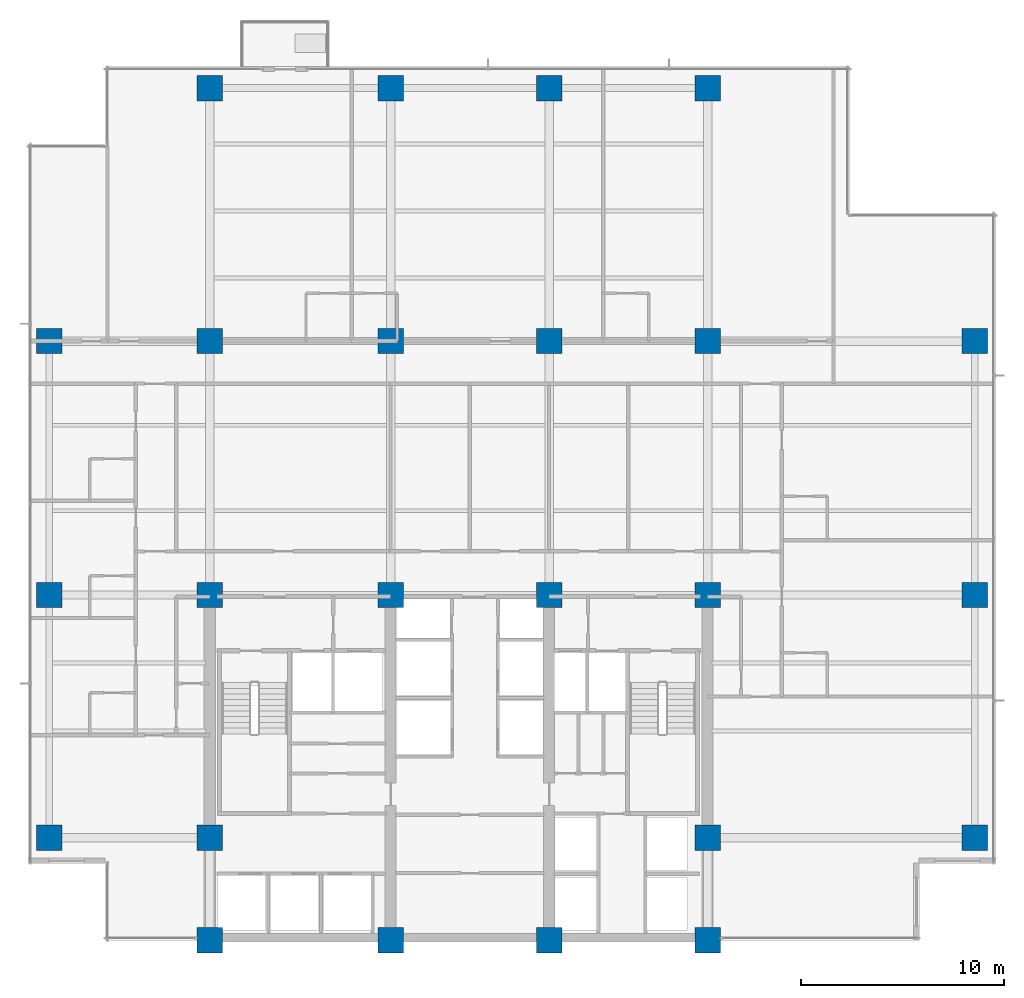
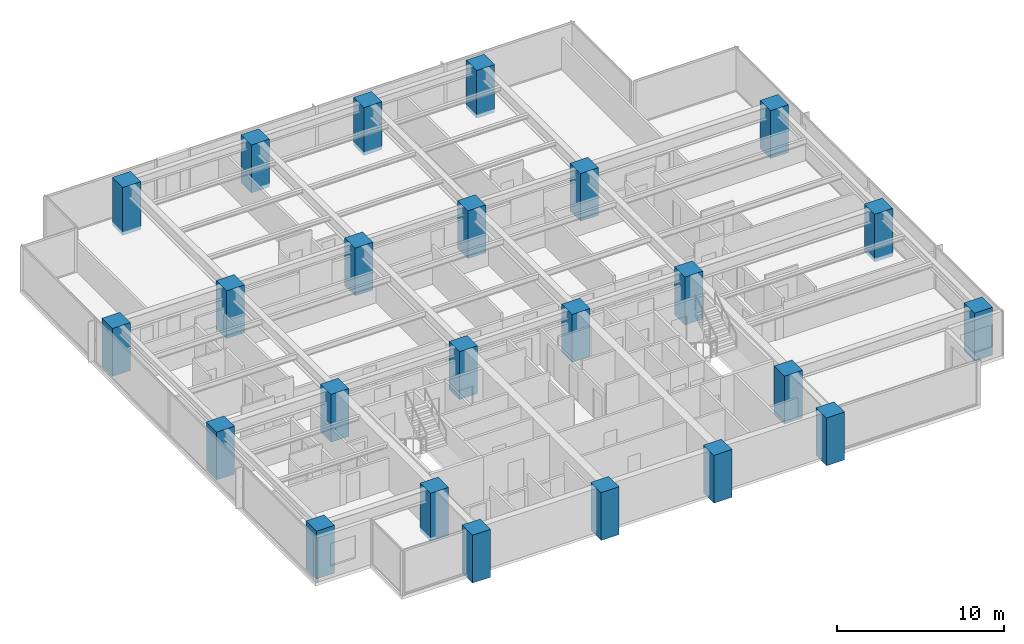
# One storey, part 1 of 17: 24 columns.
"""IFC4 building model written with IfcOpenShell, lengths in metres."""

import ifcopenshell
import ifcopenshell.guid

model = None  # the IFC model being written
_history = None  # IfcOwnerHistory: only IFC2X3 demands one
_inside = {}  # id of a spatial element -> (the spatial element, [elements in it])
_under = {}  # id of a project, library or spatial element -> (it, [spatial elements below it])
_declared = {}  # id of a project -> (the project, [libraries it declares])
_typed = {}  # id of a type object -> (the type object, [elements of that type])
_made_of = {}  # id of a material, layer set ... -> (it, [elements and type objects made of it])


def new_model(schema):
    """Start an empty IFC model of exactly this schema.

    Asked for "IFC4X3", IfcOpenShell would pick the latest addendum, in which some entities
    have other attributes; the version numbers below select the first issue.
    IFC2X3 requires an IfcOwnerHistory on every rooted entity: one is made here for all.
    """
    global model, _history
    if schema == "IFC4X3":
        model = ifcopenshell.file(schema_version=(4, 3, 0, 0))
    else:
        model = ifcopenshell.file(schema=schema)
    _inside.clear()
    _under.clear()
    _declared.clear()
    _typed.clear()
    _made_of.clear()
    _history = None
    if model.schema == "IFC2X3":
        org = make("IfcOrganization", Name="unknown")
        user = make(
            "IfcPersonAndOrganization",
            ThePerson=make("IfcPerson", FamilyName="unknown"),
            TheOrganization=org,
        )
        app = make(
            "IfcApplication",
            ApplicationDeveloper=org,
            Version="unknown",
            ApplicationFullName="unknown",
            ApplicationIdentifier="unknown",
        )
        _history = make(
            "IfcOwnerHistory",
            OwningUser=user,
            OwningApplication=app,
            ChangeAction="ADDED",
            CreationDate=0,
        )
    return model


def make(cls, **values):
    """One entity of the class cls with the attributes given. An attribute that is None is left unset."""
    return model.create_entity(
        cls, **{name: value for name, value in values.items() if value is not None}
    )


def rooted(cls, **values):
    """An entity with a GlobalId (a new one), such as an element, a storey or a relation."""
    return make(cls, GlobalId=ifcopenshell.guid.new(), OwnerHistory=_history, **values)


def si_unit(unit_type, name, prefix=None):
    """IfcSIUnit, for example si_unit("LENGTHUNIT", "METRE", prefix="MILLI")."""
    return make("IfcSIUnit", UnitType=unit_type, Prefix=prefix, Name=name)


def assignment(units):
    """IfcUnitAssignment: the units of a project."""
    return None if units is None else make("IfcUnitAssignment", Units=units)


def point(xyz):
    """IfcCartesianPoint."""
    return None if xyz is None else make("IfcCartesianPoint", Coordinates=xyz)


def direction(xyz):
    """IfcDirection."""
    return None if xyz is None else make("IfcDirection", DirectionRatios=xyz)


def frame(location, z_axis=None, x_axis=None):
    """IfcAxis2Placement3D, a coordinate frame: its origin and axes. An axis left out is left unset."""
    return make(
        "IfcAxis2Placement3D",
        Location=point(location),
        Axis=direction(z_axis),
        RefDirection=direction(x_axis),
    )


def frame_2d(location, x_axis=None):
    """IfcAxis2Placement2D, a coordinate frame in the plane: its origin and x axis."""
    return make(
        "IfcAxis2Placement2D", Location=point(location), RefDirection=direction(x_axis)
    )


def origin():
    """The frame at (0, 0, 0) with its axes left unset."""
    return frame((0.0, 0.0, 0.0))


def origin_2d():
    """The frame at (0, 0) in the plane with its x axis left unset."""
    return frame_2d((0.0, 0.0))


def place(relative_to, where):
    """IfcLocalPlacement: puts the frame where relative to a parent placement (None: the world)."""
    return make(
        "IfcLocalPlacement", PlacementRelTo=relative_to, RelativePlacement=where
    )


def context(
    kind, dimensions, precision=None, world=None, true_north=None, identifier=None
):
    """IfcGeometricRepresentationContext, for example the 3D "Model" context."""
    return make(
        "IfcGeometricRepresentationContext",
        ContextIdentifier=identifier,
        ContextType=kind,
        CoordinateSpaceDimension=dimensions,
        Precision=precision,
        WorldCoordinateSystem=world,
        TrueNorth=true_north,
    )


def subcontext(parent, identifier, kind, view, scale=None):
    """IfcGeometricRepresentationSubContext, for example "Body" below "Model"."""
    return make(
        "IfcGeometricRepresentationSubContext",
        ContextIdentifier=identifier,
        ContextType=kind,
        ParentContext=parent,
        TargetScale=scale,
        TargetView=view,
    )


def project(units=None, contexts=None):
    """IfcProject with its units and contexts."""
    return rooted(
        "IfcProject",
        Name="project",
        RepresentationContexts=contexts,
        UnitsInContext=assignment(units),
    )


def spatial(cls, under=None, at=None, **own):
    """A site, building, storey or space (cls), placed at a placement, below another one or the project."""
    s = rooted(cls, ObjectPlacement=at, **own)
    if under is not None:
        _under.setdefault(under.id(), (under, []))[1].append(s)
    return s


def profile(cls, at=None, kind="AREA", **sizes):
    """A parametric profile (cls). Its sizes go by their IFC names, for example OverallWidth=200.0."""
    return make(cls, ProfileType=kind, Position=at, **sizes)


def rectangle(**sizes):
    """IfcRectangleProfileDef."""
    return profile("IfcRectangleProfileDef", **sizes)


def extrude(swept, where, along, depth):
    """IfcExtrudedAreaSolid: the profile swept, set in the frame where, extruded along a direction by depth."""
    return make(
        "IfcExtrudedAreaSolid",
        SweptArea=swept,
        Position=where,
        ExtrudedDirection=direction(along),
        Depth=depth,
    )


def shape(context_of_items, identifier, shape_type, items):
    """IfcShapeRepresentation: the items that make up one representation, for example the "Body"."""
    return make(
        "IfcShapeRepresentation",
        ContextOfItems=context_of_items,
        RepresentationIdentifier=identifier,
        RepresentationType=shape_type,
        Items=items,
    )


def material(Name=None, Category=None):
    """IfcMaterial."""
    return make("IfcMaterial", Name=Name, Category=Category)


def material_profile(
    of_material, cross_section, Name=None, Category=None, Priority=None
):
    """IfcMaterialProfile: a cross section and its material."""
    return make(
        "IfcMaterialProfile",
        Name=Name,
        Material=of_material,
        Profile=cross_section,
        Priority=Priority,
        Category=Category,
    )


def profile_set(profiles, Name=None, composite=None):
    """IfcMaterialProfileSet."""
    return make(
        "IfcMaterialProfileSet",
        Name=Name,
        MaterialProfiles=profiles,
        CompositeProfile=composite,
    )


def made_of(thing, what):
    """Note that an element or type object is made of a material, layer set ...; save() writes the relation."""
    if what is not None:
        _made_of.setdefault(what.id(), (what, []))[1].append(thing)
    return thing


def type_object(cls, material=None, **own):
    """A type object (cls), such as IfcWallType, which elements share."""
    return made_of(rooted(cls, **own), material)


def element(
    cls,
    number,
    at=None,
    inside=None,
    cuts=None,
    type_object=None,
    material=None,
    context=None,
    identifier="Body",
    shape_type=None,
    held_by="IfcProductDefinitionShape",
    body=None,
    shapes=None,
    **own,
):
    """One element of the class cls, such as IfcWall. Its Tag is "e" and its number.

    at: its placement. inside: the storey or other place that contains it. cuts: it is an
    opening in that element (IfcRelVoidsElement). A single representation is given by context,
    identifier, shape_type and body (its items); several are given by shapes. held_by: the class
    of the entity that holds the representations. save() writes the other relations.
    """
    e = rooted(cls, Tag="e%d" % number, ObjectPlacement=at, **own)
    if body is not None:
        shapes = [shape(context, identifier, shape_type, body)]
    if shapes is not None:
        e.Representation = make(held_by, Representations=shapes)
    if inside is not None:
        _inside.setdefault(inside.id(), (inside, []))[1].append(e)
    if cuts is not None:
        rooted(
            "IfcRelVoidsElement", RelatingBuildingElement=cuts, RelatedOpeningElement=e
        )
    if type_object is not None:
        _typed.setdefault(type_object.id(), (type_object, []))[1].append(e)
    return made_of(e, material)


def aggregate(whole, parts):
    """IfcRelAggregates: a whole, such as a stair, and the parts it consists of."""
    return rooted("IfcRelAggregates", RelatingObject=whole, RelatedObjects=parts)


def save(model, path):
    """Write the relations noted so far, then the file.

    IfcRelAggregates (storeys below a building ...), IfcRelContainedInSpatialStructure (elements
    in a storey), IfcRelDefinesByType, IfcRelAssociatesMaterial and IfcRelDeclares: one each for
    every whole, place, type object, material and project.
    """
    for whole, parts in _under.values():
        aggregate(whole, parts)
    for where, things in _inside.values():
        rooted(
            "IfcRelContainedInSpatialStructure",
            RelatedElements=things,
            RelatingStructure=where,
        )
    for kind, things in _typed.values():
        rooted("IfcRelDefinesByType", RelatedObjects=things, RelatingType=kind)
    for what, things in _made_of.values():
        rooted("IfcRelAssociatesMaterial", RelatedObjects=things, RelatingMaterial=what)
    for by, libraries in _declared.values():
        rooted("IfcRelDeclares", RelatingContext=by, RelatedDefinitions=libraries)
    model.write(path)


model = new_model("IFC4")

# Units and contexts
model_context = context("Model", 3, precision=1e-05, world=origin(), true_north=direction((0.0, 1.0)))
body_context = subcontext(model_context, "Body", "Model", "MODEL_VIEW")
ifc_project = project(units=[si_unit("LENGTHUNIT", "METRE"), si_unit("AREAUNIT", "SQUARE_METRE"), si_unit("VOLUMEUNIT", "CUBIC_METRE"), si_unit("PLANEANGLEUNIT", "RADIAN"), si_unit("MASSUNIT", "GRAM", prefix="KILO")], contexts=[model_context])

# Site, building, storey
site_placement = place(None, origin())
site = spatial("IfcSite", under=ifc_project, at=site_placement, CompositionType="ELEMENT")
building_placement = place(site_placement, origin())
building = spatial("IfcBuilding", under=site, at=building_placement, Name="Qalmaran Belvedere Hotel", CompositionType="ELEMENT")
storey_placement = place(building_placement, frame((0.0, 0.0, 119.699951171875)))
storey = spatial("IfcBuildingStorey", under=building, at=storey_placement, Name="L30", CompositionType="ELEMENT", Elevation=119.699951171875)

# Columns
ifc_material = material(Name="Concrete C60/75", Category="concrete")
ifc_material_profile = material_profile(ifc_material, rectangle(XDim=1.25, YDim=1.25, at=origin_2d()), Name="CC1250X1250")
ifc_profile_set = profile_set([ifc_material_profile], Name="Concrete C60/75")
column_type = type_object("IfcColumnType", Name="COL-Z2-CC1250", PredefinedType="COLUMN", material=ifc_profile_set)
for number, where, z_axis, x_axis, name in (
    (1, (20.300048828125, 3.5, -0.260009765625), (0.0, 0.0, 1.0), (1.0, 0.0, 0.0), "L30 Column C4B"),
    (2, (29.199951171875, 3.5, -0.260009765625), (0.0, 0.0, 1.0), (1.0, 0.0, 0.0), "L30 Column C5B"),
    (3, (37.0, 3.5, -0.260009765625), (0.0, 0.0, 1.0), (1.0, 0.0, 0.0), "L30 Column C6B"),
    (4, (44.800048828125, 3.5, -0.260009765625), (0.0, 0.0, 1.0), (1.0, 0.0, 0.0), "L30 Column C7B"),
    (5, (20.300048828125, 8.550048828125, -0.260009765625), (0.0, 0.0, 1.0), (1.0, 0.0, 0.0), "L30 Column C4C"),
    (6, (44.800048828125, 8.550048828125, -0.260009765625), (0.0, 0.0, 1.0), (1.0, 0.0, 0.0), "L30 Column C7C"),
    (7, (20.300048828125, 20.5, -0.260009765625), (0.0, 0.0, 1.0), (1.0, 0.0, 0.0), "L30 Column C4D"),
    (8, (29.199951171875, 20.5, -0.260009765625), (0.0, 0.0, 1.0), (1.0, 0.0, 0.0), "L30 Column C5D"),
    (9, (37.0, 20.5, -0.260009765625), (0.0, 0.0, 1.0), (1.0, 0.0, 0.0), "L30 Column C6D"),
    (10, (44.800048828125, 20.5, -0.260009765625), (0.0, 0.0, 1.0), (1.0, 0.0, 0.0), "L30 Column C7D"),
    (11, (20.300048828125, 33.0, -0.260009765625), (0.0, 0.0, 1.0), (1.0, 0.0, 0.0), "L30 Column C4F"),
    (12, (29.199951171875, 33.0, -0.260009765625), (0.0, 0.0, 1.0), (1.0, 0.0, 0.0), "L30 Column C5F"),
    (13, (37.0, 33.0, -0.260009765625), (0.0, 0.0, 1.0), (1.0, 0.0, 0.0), "L30 Column C6F"),
    (14, (44.800048828125, 33.0, -0.260009765625), (0.0, 0.0, 1.0), (1.0, 0.0, 0.0), "L30 Column C7F"),
    (15, (12.39990234375, 8.550048828125, -0.260009765625), (0.0, 0.0, 1.0), (1.0, 0.0, 0.0), "L30 Column CW1"),
    (16, (12.39990234375, 20.5, -0.260009765625), (0.0, 0.0, 1.0), (1.0, 0.0, 0.0), "L30 Column CW3"),
    (17, (12.39990234375, 33.0, -0.260009765625), (0.0, 0.0, 1.0), (1.0, 0.0, 0.0), "L30 Column CW4"),
    (18, (57.949951171875, 8.550048828125, -0.260009765625), (0.0, 0.0, 1.0), (1.0, 0.0, 0.0), "L30 Column CE1"),
    (19, (57.949951171875, 20.5, -0.260009765625), (0.0, 0.0, 1.0), (1.0, 0.0, 0.0), "L30 Column CE3"),
    (20, (57.949951171875, 33.0, -0.260009765625), (0.0, 0.0, 1.0), (1.0, 0.0, 0.0), "L30 Column CE4"),
    (21, (20.300048828125, 45.449951171875, -0.260009765625), (0.0, 0.0, 1.0), (1.0, 0.0, 0.0), "L30 Column CN1"),
    (22, (29.199951171875, 45.449951171875, -0.260009765625), (0.0, 0.0, 1.0), (1.0, 0.0, 0.0), "L30 Column CN2"),
    (23, (37.0, 45.449951171875, -0.260009765625), (0.0, 0.0, 1.0), (1.0, 0.0, 0.0), "L30 Column CN3"),
    (24, (44.800048828125, 45.449951171875, -0.260009765625), (0.0, 0.0, 1.0), (1.0, 0.0, 0.0), "L30 Column CN4"),
):
    element("IfcColumn", number, at=place(storey_placement, frame(where, z_axis=z_axis, x_axis=x_axis)), inside=storey, type_object=column_type, Name=name, PredefinedType="COLUMN", context=body_context, shape_type="SweptSolid", body=[
        extrude(rectangle(XDim=1.25, YDim=1.25, at=origin_2d()), origin(), (0.0, 0.0, 1.0), 3.5),
    ])

save(model, "model.ifc")
